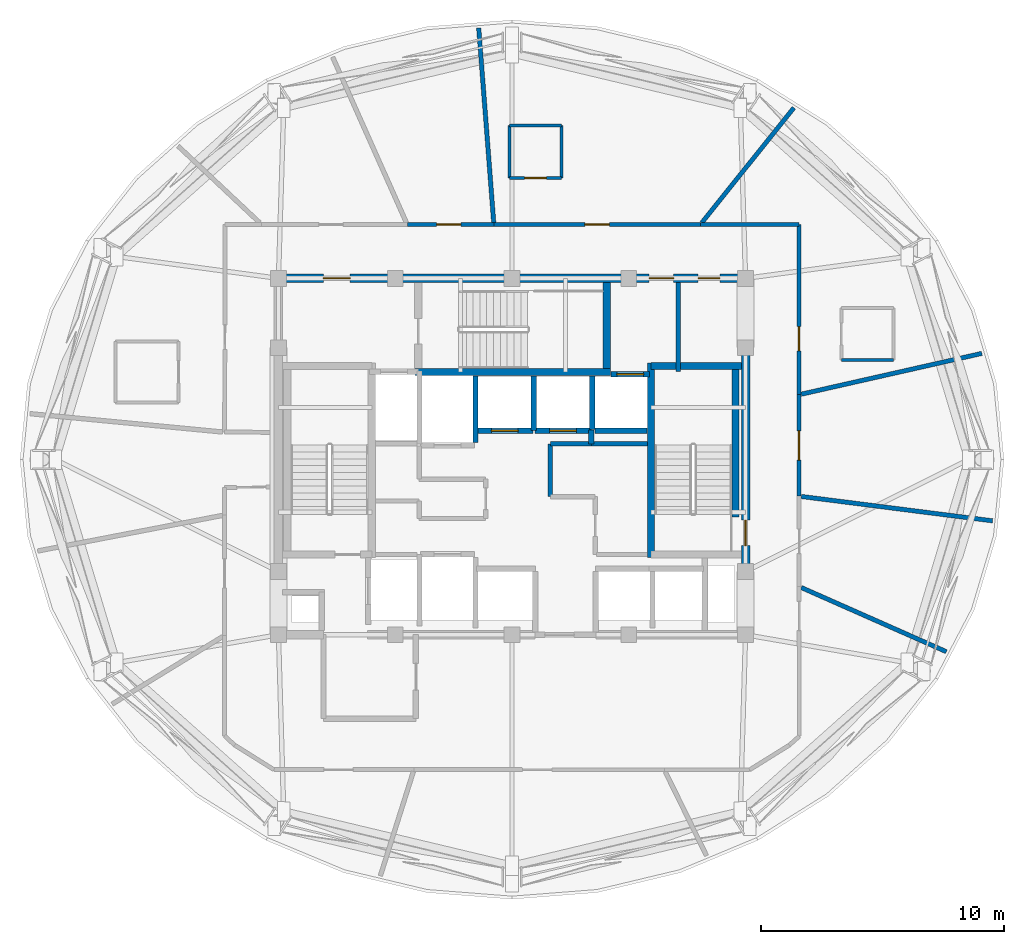
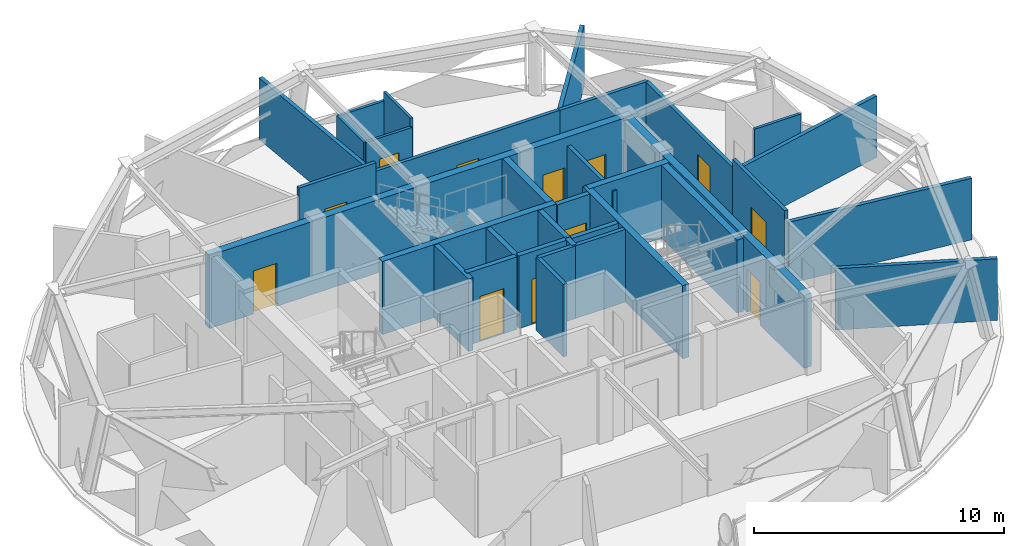
# One storey, part 6 of 11: 34 walls, 12 doors, 12 openings.
"""IFC4 building model written with IfcOpenShell, lengths in metres."""

from ifc_helpers import new_model, si_unit, direction, frame, frame_2d, origin, place, context, subcontext, project, spatial, rectangle, extrude, material, layer, layer_set, type_object, element, fill, save


model = new_model("IFC4")

# Units and contexts
model_context = context("Model", 3, precision=1e-05, world=origin(), true_north=direction((0.0, 1.0)))
body_context = subcontext(model_context, "Body", "Model", "MODEL_VIEW")
ifc_project = project(units=[si_unit("LENGTHUNIT", "METRE"), si_unit("AREAUNIT", "SQUARE_METRE"), si_unit("VOLUMEUNIT", "CUBIC_METRE"), si_unit("PLANEANGLEUNIT", "RADIAN"), si_unit("MASSUNIT", "GRAM", prefix="KILO")], contexts=[model_context])

# Site, building, storey
site_placement = place(None, origin())
site = spatial("IfcSite", under=ifc_project, at=site_placement, CompositionType="ELEMENT")
building_placement = place(site_placement, origin())
building = spatial("IfcBuilding", under=site, at=building_placement, Name="Vantalir Tower", CompositionType="ELEMENT")
storey_placement = place(building_placement, frame((0.0, 0.0, 278.85009765625)))
storey = spatial("IfcBuildingStorey", under=building, at=storey_placement, Name="L70", CompositionType="ELEMENT", Elevation=278.85009765625)

# Wall
ifc_material_1 = material(Name="Moisture-resistant en-suite partition", Category="gypsum")
ifc_layer_1 = layer(ifc_material_1, 0.125)
ifc_layer_set_1 = layer_set([ifc_layer_1], Name="Moisture-resistant en-suite partition")
wall_type_1 = type_object("IfcWallType", Name="WL-BATH-125", PredefinedType="PARTITIONING", material=ifc_layer_set_1)
wall_1_placement = place(storey_placement, frame((45.035888671875, 29.087890625, 0.0), z_axis=(0.0, 0.0, 1.0), x_axis=(1.0, 0.0, 0.0)))
element("IfcWall", 1, at=wall_1_placement, inside=storey, type_object=wall_type_1, Name="L70 En-suite 01 South Wall", PredefinedType="PARTITIONING", context=body_context, shape_type="SweptSolid", body=[
    extrude(rectangle(XDim=2.150146484375, YDim=0.125, at=frame_2d((1.0751953125, 0.0))), origin(), (0.0, 0.0, 1.0), 3.5498046875),
])

# Wall, opening, door
wall_2_placement = place(storey_placement, frame((31.389892578125, 36.574951171875, 0.0), z_axis=(0.0, 0.0, 1.0), x_axis=(1.0, 0.0, 0.0)))
wall_2 = element("IfcWall", 2, at=wall_2_placement, inside=storey, type_object=wall_type_1, Name="L70 En-suite 02 South Wall", PredefinedType="PARTITIONING", context=body_context, shape_type="SweptSolid", body=[
    extrude(rectangle(XDim=2.150146484375, YDim=0.125, at=frame_2d((1.0751953125, 0.0))), origin(), (0.0, 0.0, 1.0), 3.1318359375),
])
opening_1_placement = place(wall_2_placement, frame((0.625, 0.0, 0.0)))
opening_1 = element("IfcOpeningElement", 3, at=opening_1_placement, cuts=wall_2, Name="Opening D-WC", PredefinedType="OPENING", context=body_context, shape_type="SweptSolid", body=[
    extrude(rectangle(XDim=0.89990234375, YDim=2.10009765625, at=frame_2d((0.449951171875, 1.050048828125))), frame((0.0, 0.072509765625, 0.0), z_axis=(0.0, -1.0, 0.0), x_axis=(1.0, 0.0, 0.0)), (0.0, 0.0, 1.0), 0.14501953125),
])
ifc_material_2 = material(Name="Moisture-resistant hardwood door", Category="wood")
door_type_1 = type_object("IfcDoorType", Name="DR-ENSUITE-900", OperationType="NOTDEFINED", PredefinedType="DOOR", material=ifc_material_2)
door_1_placement = place(opening_1_placement, origin())
door_1 = element("IfcDoor", 4, at=door_1_placement, inside=storey, type_object=door_type_1, Name="L70 En-suite 02 Door", OperationType="SINGLE_SWING_LEFT", OverallHeight=2.10009765625, OverallWidth=0.89990234375, PredefinedType="DOOR", context=body_context, shape_type="SweptSolid", body=[
    extrude(rectangle(XDim=0.89990234375, YDim=2.10009765625, at=frame_2d((0.449951171875, 1.050048828125))), frame((0.0, 0.02490234375, 0.0), z_axis=(0.0, -1.0, 0.0), x_axis=(1.0, 0.0, 0.0)), (0.0, 0.0, 1.0), 0.050048828125),
])
fill(opening_1, door_1)

# Walls
for number, where, z_axis, x_axis, name in (
    (5, (31.389892578125, 38.72509765625, 0.0), (0.0, 0.0, 1.0), (1.0, 0.0, 0.0), "L70 En-suite 02 North Wall"),
    (6, (31.389892578125, 36.574951171875, 0.0), (0.0, 0.0, 1.0), (0.0, 1.0, 0.0), "L70 En-suite 02 West Wall"),
):
    element("IfcWall", number, at=place(storey_placement, frame(where, z_axis=z_axis, x_axis=x_axis)), inside=storey, type_object=wall_type_1, Name=name, PredefinedType="PARTITIONING", context=body_context, shape_type="SweptSolid", body=[
        extrude(rectangle(XDim=2.150146484375, YDim=0.125, at=frame_2d((1.0751953125, 0.0))), origin(), (0.0, 0.0, 1.0), 3.1318359375),
    ])
wall_3_placement = place(storey_placement, frame((33.5400390625, 36.574951171875, 0.0), z_axis=(0.0, 0.0, 1.0), x_axis=(0.0, 1.0, 0.0)))
element("IfcWall", 7, at=wall_3_placement, inside=storey, type_object=wall_type_1, Name="L70 En-suite 02 East Wall", PredefinedType="PARTITIONING", context=body_context, shape_type="SweptSolid", body=[
    extrude(rectangle(XDim=2.150146484375, YDim=0.125, at=frame_2d((1.0751953125, 0.0))), origin(), (0.0, 0.0, 1.0), 3.5498046875),
])

# Wall, openings, doors
ifc_material_3 = material(Name="Concrete C50/60", Category="concrete")
ifc_layer_2 = layer(ifc_material_3, 0.35009765625)
ifc_layer_set_2 = layer_set([ifc_layer_2], Name="Concrete C50/60")
wall_type_2 = type_object("IfcWallType", Name="WL-CORE-350", PredefinedType="SHEAR", material=ifc_layer_set_2)
wall_4_placement = place(storey_placement, frame((21.72509765625, 32.449951171875, 0.0), z_axis=(0.0, 0.0, 1.0), x_axis=(1.0, 0.0, 0.0)))
wall_4 = element("IfcWall", 8, at=wall_4_placement, inside=storey, type_object=wall_type_2, Name="L70 Core Shear Wall North", PredefinedType="SHEAR", context=body_context, shape_type="SweptSolid", body=[
    extrude(rectangle(XDim=19.5498046875, YDim=0.35009765625, at=frame_2d((9.77490234375, 0.0))), origin(), (0.0, 0.0, 1.0), 3.56982421875),
])
opening_2_placement = place(wall_4_placement, frame((2.02490234375, 0.0, 0.0)))
opening_2 = element("IfcOpeningElement", 9, at=opening_2_placement, cuts=wall_4, Name="Opening D-FFL", PredefinedType="OPENING", context=body_context, shape_type="SweptSolid", body=[
    extrude(rectangle(XDim=1.10009765625, YDim=2.10009765625, at=frame_2d((0.550048828125, 1.050048828125))), frame((0.0, 0.18505859375, 0.0), z_axis=(0.0, -1.0, 0.0), x_axis=(1.0, 0.0, 0.0)), (0.0, 0.0, 1.0), 0.3701171875),
])
opening_3_placement = place(wall_4_placement, frame((15.4150390625, 0.0, 0.0)))
opening_3 = element("IfcOpeningElement", 10, at=opening_3_placement, cuts=wall_4, Name="Opening D-GUEST", PredefinedType="OPENING", context=body_context, shape_type="SweptSolid", body=[
    extrude(rectangle(XDim=1.0, YDim=2.10009765625, at=frame_2d((0.5, 1.050048828125))), frame((0.0, 0.18505859375, 0.0), z_axis=(0.0, -1.0, 0.0), x_axis=(1.0, 0.0, 0.0)), (0.0, 0.0, 1.0), 0.3701171875),
])
opening_4_placement = place(wall_4_placement, frame((17.425048828125, 0.0, 0.0)))
opening_4 = element("IfcOpeningElement", 11, at=opening_4_placement, cuts=wall_4, Name="Opening D-CR", PredefinedType="OPENING", context=body_context, shape_type="SweptSolid", body=[
    extrude(rectangle(XDim=0.89990234375, YDim=2.10009765625, at=frame_2d((0.449951171875, 1.050048828125))), frame((0.0, 0.18505859375, 0.0), z_axis=(0.0, -1.0, 0.0), x_axis=(1.0, 0.0, 0.0)), (0.0, 0.0, 1.0), 0.3701171875),
])
ifc_material_4 = material(Name="Fire-rated steel core service door", Category="steel")
door_type_2 = type_object("IfcDoorType", Name="DR-CORE-SERV-900", OperationType="NOTDEFINED", PredefinedType="DOOR", material=ifc_material_4)
door_2_placement = place(opening_4_placement, frame((0.89990234375, 0.0, 0.0), z_axis=(0.0, 0.0, 1.0), x_axis=(-1.0, 0.0, 0.0)))
door_2 = element("IfcDoor", 12, at=door_2_placement, inside=storey, type_object=door_type_2, Name="L70 Housekeeping and Linen Room Door", OperationType="SINGLE_SWING_RIGHT", OverallHeight=2.10009765625, OverallWidth=0.89990234375, PredefinedType="DOOR", context=body_context, shape_type="SweptSolid", body=[
    extrude(rectangle(XDim=0.89990234375, YDim=2.10009765625, at=frame_2d((0.449951171875, 1.050048828125))), frame((0.0, 0.02490234375, 0.0), z_axis=(0.0, -1.0, 0.0), x_axis=(1.0, 0.0, 0.0)), (0.0, 0.0, 1.0), 0.050048828125),
])
fill(opening_4, door_2)
ifc_material_5 = material(Name="Fire-rated acoustic steel door", Category="steel")
door_type_3 = type_object("IfcDoorType", Name="DR-FIRE-LOBBY-1100", OperationType="NOTDEFINED", PredefinedType="DOOR", material=ifc_material_5)
door_3_placement = place(opening_2_placement, frame((1.10009765625, 0.0, 0.0), z_axis=(0.0, 0.0, 1.0), x_axis=(-1.0, 0.0, 0.0)))
door_3 = element("IfcDoor", 13, at=door_3_placement, inside=storey, type_object=door_type_3, Name="L70 Firefighting Lobby East Access Door", OperationType="SINGLE_SWING_RIGHT", OverallHeight=2.10009765625, OverallWidth=1.10009765625, PredefinedType="DOOR", context=body_context, shape_type="SweptSolid", body=[
    extrude(rectangle(XDim=1.10009765625, YDim=2.10009765625, at=frame_2d((0.550048828125, 1.050048828125))), frame((0.0, 0.02490234375, 0.0), z_axis=(0.0, -1.0, 0.0), x_axis=(1.0, 0.0, 0.0)), (0.0, 0.0, 1.0), 0.050048828125),
])
fill(opening_2, door_3)
ifc_material_6 = material(Name="Solid-core teak veneer acoustic fire door", Category="wood")
door_type_4 = type_object("IfcDoorType", Name="DR-GUEST-ENTRY-1000", OperationType="NOTDEFINED", PredefinedType="DOOR", material=ifc_material_6)
door_4_placement = place(opening_3_placement, frame((1.0, 0.0, 0.0), z_axis=(0.0, 0.0, 1.0), x_axis=(-1.0, 0.0, 0.0)))
door_4 = element("IfcDoor", 14, at=door_4_placement, inside=storey, type_object=door_type_4, Name="L70 High-Rise Lift Lobby Door", OperationType="SINGLE_SWING_LEFT", OverallHeight=2.10009765625, OverallWidth=1.0, PredefinedType="DOOR", context=body_context, shape_type="SweptSolid", body=[
    extrude(rectangle(XDim=1.0, YDim=2.10009765625, at=frame_2d((0.5, 1.050048828125))), frame((0.0, 0.02490234375, 0.0), z_axis=(0.0, -1.0, 0.0), x_axis=(1.0, 0.0, 0.0)), (0.0, 0.0, 1.0), 0.050048828125),
])
fill(opening_3, door_4)

# Wall, opening, door
wall_5_placement = place(storey_placement, frame((41.10009765625, 17.97509765625, 0.0), z_axis=(0.0, 0.0, 1.0), x_axis=(0.0, 1.0, 0.0)))
wall_5 = element("IfcWall", 15, at=wall_5_placement, inside=storey, type_object=wall_type_2, Name="L70 Core Shear Wall East", PredefinedType="SHEAR", context=body_context, shape_type="SweptSolid", body=[
    extrude(rectangle(XDim=14.2998046875, YDim=0.35009765625, at=frame_2d((7.14990234375, 0.0))), origin(), (0.0, 0.0, 1.0), 3.56982421875),
])
opening_5_placement = place(wall_5_placement, frame((3.485107421875, 0.0, 0.0)))
opening_5 = element("IfcOpeningElement", 16, at=opening_5_placement, cuts=wall_5, Name="Opening D-ST", PredefinedType="OPENING", context=body_context, shape_type="SweptSolid", body=[
    extrude(rectangle(XDim=1.050048828125, YDim=2.10009765625, at=frame_2d((0.52490234375, 1.050048828125))), frame((0.0, 0.18505859375, 0.0), z_axis=(0.0, -1.0, 0.0), x_axis=(1.0, 0.0, 0.0)), (0.0, 0.0, 1.0), 0.3701171875),
])
ifc_material_7 = material(Name="Fire-rated steel door leaf", Category="steel")
door_type_5 = type_object("IfcDoorType", Name="DR-FIRE-STAIR-1050", OperationType="NOTDEFINED", PredefinedType="DOOR", material=ifc_material_7)
door_5_placement = place(opening_5_placement, origin())
door_5 = element("IfcDoor", 17, at=door_5_placement, inside=storey, type_object=door_type_5, Name="L70 Exit Stair ST2 Fire Door", OperationType="SINGLE_SWING_LEFT", OverallHeight=2.10009765625, OverallWidth=1.050048828125, PredefinedType="DOOR", context=body_context, shape_type="SweptSolid", body=[
    extrude(rectangle(XDim=1.050048828125, YDim=2.10009765625, at=frame_2d((0.52490234375, 1.050048828125))), frame((0.0, 0.02490234375, 0.0), z_axis=(0.0, -1.0, 0.0), x_axis=(1.0, 0.0, 0.0)), (0.0, 0.0, 1.0), 0.050048828125),
])
fill(opening_5, door_5)

ifc_material_8 = material(Name="Fire-rated hotel corridor acoustic partition", Category="gypsum")
ifc_layer_3 = layer(ifc_material_8, 0.159912109375)
ifc_layer_set_3 = layer_set([ifc_layer_3], Name="Fire-rated hotel corridor acoustic partition")
wall_type_3 = type_object("IfcWallType", Name="WL-CORR-160", PredefinedType="PARTITIONING", material=ifc_layer_set_3)
wall_6_placement = place(storey_placement, frame((27.195068359375, 34.660888671875, 0.0), z_axis=(0.0, 0.0, 1.0), x_axis=(1.0, 0.0, 0.0)))
wall_6 = element("IfcWall", 18, at=wall_6_placement, inside=storey, type_object=wall_type_3, Name="L70 Corridor Partition 05", PredefinedType="PARTITIONING", context=body_context, shape_type="SweptSolid", body=[
    extrude(rectangle(XDim=3.559814453125, YDim=0.159912109375, at=frame_2d((1.77978515625, 0.0))), origin(), (0.0, 0.0, 1.0), 3.5498046875),
])
opening_6_placement = place(wall_6_placement, frame((1.205078125, 0.0, 0.0)))
opening_6 = element("IfcOpeningElement", 19, at=opening_6_placement, cuts=wall_6, Name="Opening D-GUEST", PredefinedType="OPENING", context=body_context, shape_type="SweptSolid", body=[
    extrude(rectangle(XDim=1.0, YDim=2.10009765625, at=frame_2d((0.5, 1.050048828125))), frame((0.0, 0.08984375, 0.0), z_axis=(0.0, -1.0, 0.0), x_axis=(1.0, 0.0, 0.0)), (0.0, 0.0, 1.0), 0.179931640625),
])
door_6_placement = place(opening_6_placement, origin())
door_6 = element("IfcDoor", 20, at=door_6_placement, inside=storey, type_object=door_type_4, Name="L70 Executive Business Study 03 Door", OperationType="SINGLE_SWING_RIGHT", OverallHeight=2.10009765625, OverallWidth=1.0, PredefinedType="DOOR", context=body_context, shape_type="SweptSolid", body=[
    extrude(rectangle(XDim=1.0, YDim=2.10009765625, at=frame_2d((0.5, 1.050048828125))), frame((0.0, 0.02490234375, 0.0), z_axis=(0.0, -1.0, 0.0), x_axis=(1.0, 0.0, 0.0)), (0.0, 0.0, 1.0), 0.050048828125),
])
fill(opening_6, door_6)

wall_7_placement = place(storey_placement, frame((30.7548828125, 34.660888671875, 0.0), z_axis=(0.0, 0.0, 1.0), x_axis=(1.0, 0.0, 0.0)))
wall_7 = element("IfcWall", 21, at=wall_7_placement, inside=storey, type_object=wall_type_3, Name="L70 Corridor Partition 06", PredefinedType="PARTITIONING", context=body_context, shape_type="SweptSolid", body=[
    extrude(rectangle(XDim=8.486083984375, YDim=0.159912109375, at=frame_2d((4.2431640625, 0.0))), origin(), (0.0, 0.0, 1.0), 3.1318359375),
])
opening_7_placement = place(wall_7_placement, frame((3.742919921875, 0.0, 0.0)))
opening_7 = element("IfcOpeningElement", 22, at=opening_7_placement, cuts=wall_7, Name="Opening D-GUEST", PredefinedType="OPENING", context=body_context, shape_type="SweptSolid", body=[
    extrude(rectangle(XDim=1.0, YDim=2.10009765625, at=frame_2d((0.5, 1.050048828125))), frame((0.0, 0.08984375, 0.0), z_axis=(0.0, -1.0, 0.0), x_axis=(1.0, 0.0, 0.0)), (0.0, 0.0, 1.0), 0.179931640625),
])
door_7_placement = place(opening_7_placement, origin())
door_7 = element("IfcDoor", 23, at=door_7_placement, inside=storey, type_object=door_type_4, Name="L70 Deluxe King Hotel Room 02 Door", OperationType="SINGLE_SWING_LEFT", OverallHeight=2.10009765625, OverallWidth=1.0, PredefinedType="DOOR", context=body_context, shape_type="SweptSolid", body=[
    extrude(rectangle(XDim=1.0, YDim=2.10009765625, at=frame_2d((0.5, 1.050048828125))), frame((0.0, 0.02490234375, 0.0), z_axis=(0.0, -1.0, 0.0), x_axis=(1.0, 0.0, 0.0)), (0.0, 0.0, 1.0), 0.050048828125),
])
fill(opening_7, door_7)

# Wall
wall_8_placement = place(storey_placement, frame((39.240966796875, 34.660888671875, 0.0), z_axis=(0.0, 0.0, 1.0), x_axis=(0.999999970972, -0.000240949333, 0.0)))
element("IfcWall", 24, at=wall_8_placement, inside=storey, type_object=wall_type_3, Name="L70 Corridor Partition 07", PredefinedType="PARTITIONING", context=body_context, shape_type="SweptSolid", body=[
    extrude(rectangle(XDim=4.052978515625, YDim=0.159912109375, at=frame_2d((2.0263671875, 0.0))), origin(), (0.0, 0.0, 1.0), 3.1318359375),
])

# Wall, opening, door
wall_9_placement = place(storey_placement, frame((43.2939453125, 34.659912109375, 0.0), z_axis=(0.0, 0.0, 1.0), x_axis=(0.000733163229, -0.999999731236, 0.0)))
wall_9 = element("IfcWall", 25, at=wall_9_placement, inside=storey, type_object=wall_type_3, Name="L70 Corridor Partition 08", PredefinedType="PARTITIONING", context=body_context, shape_type="SweptSolid", body=[
    extrude(rectangle(XDim=6.992919921875, YDim=0.159912109375, at=frame_2d((3.49658203125, 0.0))), origin(), (0.0, 0.0, 1.0), 3.1318359375),
])
opening_8_placement = place(wall_9_placement, frame((4.19091796875, 0.0, 0.0)))
opening_8 = element("IfcOpeningElement", 26, at=opening_8_placement, cuts=wall_9, Name="Opening D-GUEST", PredefinedType="OPENING", context=body_context, shape_type="SweptSolid", body=[
    extrude(rectangle(XDim=1.0, YDim=2.10009765625, at=frame_2d((0.5, 1.050048828125))), frame((0.0, 0.08984375, 0.0), z_axis=(0.0, -1.0, 0.0), x_axis=(1.0, 0.0, 0.0)), (0.0, 0.0, 1.0), 0.179931640625),
])
door_8_placement = place(opening_8_placement, origin())
door_8 = element("IfcDoor", 27, at=door_8_placement, inside=storey, type_object=door_type_4, Name="L70 Twin Queen Hotel Room 01 Door", OperationType="SINGLE_SWING_RIGHT", OverallHeight=2.10009765625, OverallWidth=1.0, PredefinedType="DOOR", context=body_context, shape_type="SweptSolid", body=[
    extrude(rectangle(XDim=1.0, YDim=2.10009765625, at=frame_2d((0.5, 1.050048828125))), frame((0.0, 0.02490234375, 0.0), z_axis=(0.0, -1.0, 0.0), x_axis=(1.0, 0.0, 0.0)), (0.0, 0.0, 1.0), 0.050048828125),
])
fill(opening_8, door_8)

wall_10_placement = place(storey_placement, frame((43.299072265625, 27.6669921875, 0.0), z_axis=(0.0, 0.0, 1.0), x_axis=(0.00070241144, -0.999999753309, 0.0)))
wall_10 = element("IfcWall", 28, at=wall_10_placement, inside=storey, type_object=wall_type_3, Name="L70 Corridor Partition 09", PredefinedType="PARTITIONING", context=body_context, shape_type="SweptSolid", body=[
    extrude(rectangle(XDim=4.1708984375, YDim=0.159912109375, at=frame_2d((2.08544921875, 0.0))), origin(), (0.0, 0.0, 1.0), 3.5498046875),
])
opening_9_placement = place(wall_10_placement, frame((1.486083984375, 0.0, 0.0)))
opening_9 = element("IfcOpeningElement", 29, at=opening_9_placement, cuts=wall_10, Name="Opening D-STE", PredefinedType="OPENING", context=body_context, shape_type="SweptSolid", body=[
    extrude(rectangle(XDim=1.199951171875, YDim=2.10009765625, at=frame_2d((0.60009765625, 1.050048828125))), frame((0.0, 0.08984375, 0.0), z_axis=(0.0, -1.0, 0.0), x_axis=(1.0, 0.0, 0.0)), (0.0, 0.0, 1.0), 0.179931640625),
])
ifc_material_9 = material(Name="Solid-core teak veneer suite entrance door", Category="wood")
door_type_6 = type_object("IfcDoorType", Name="DR-SUITE-ENTRY-1200", OperationType="NOTDEFINED", PredefinedType="DOOR", material=ifc_material_9)
door_9_placement = place(opening_9_placement, origin())
door_9 = element("IfcDoor", 30, at=door_9_placement, inside=storey, type_object=door_type_6, Name="L70 Club Reading Lounge 12 Door", OperationType="SINGLE_SWING_LEFT", OverallHeight=2.10009765625, OverallWidth=1.199951171875, PredefinedType="DOOR", context=body_context, shape_type="SweptSolid", body=[
    extrude(rectangle(XDim=1.199951171875, YDim=2.10009765625, at=frame_2d((0.60009765625, 1.050048828125))), frame((0.0, 0.02490234375, 0.0), z_axis=(0.0, -1.0, 0.0), x_axis=(1.0, 0.0, 0.0)), (0.0, 0.0, 1.0), 0.050048828125),
])
fill(opening_9, door_9)

# Walls
ifc_material_10 = material(Name="Concrete blockwork with fireboard lining", Category="masonry")
ifc_layer_4 = layer(ifc_material_10, 0.219970703125)
ifc_layer_set_4 = layer_set([ifc_layer_4], Name="Concrete blockwork with fireboard lining")
wall_type_4 = type_object("IfcWallType", Name="WL-FFL-220", PredefinedType="PARTITIONING", material=ifc_layer_set_4)
wall_11_placement = place(storey_placement, frame((30.0, 25.7099609375, 0.0), z_axis=(0.0, 0.0, 1.0), x_axis=(0.0, 1.0, 0.0)))
element("IfcWall", 31, at=wall_11_placement, inside=storey, type_object=wall_type_4, Name="L70 Service Lift SV2 East Shaft Wall", PredefinedType="PARTITIONING", context=body_context, shape_type="SweptSolid", body=[
    extrude(rectangle(XDim=2.72998046875, YDim=0.219970703125, at=frame_2d((1.364990234375, 0.0))), origin(), (0.0, 0.0, 1.0), 3.544921875),
])
wall_12_placement = place(storey_placement, frame((32.39990234375, 26.199951171875, 0.0), z_axis=(0.0, 0.0, 1.0), x_axis=(0.0, 1.0, 0.0)))
element("IfcWall", 32, at=wall_12_placement, inside=storey, type_object=wall_type_4, Name="L70 High-Rise Lift PL-H1/H2 Shaft Divider", PredefinedType="PARTITIONING", context=body_context, shape_type="SweptSolid", body=[
    extrude(rectangle(XDim=2.239990234375, YDim=0.219970703125, at=frame_2d((1.1201171875, 0.0))), origin(), (0.0, 0.0, 1.0), 3.544921875),
])
wall_13_placement = place(storey_placement, frame((34.800048828125, 26.22998046875, 0.0), z_axis=(0.0, 0.0, 1.0), x_axis=(0.0, 1.0, 0.0)))
element("IfcWall", 33, at=wall_13_placement, inside=storey, type_object=wall_type_4, Name="L70 High-Rise Lift PL-H2/H3 Shaft Divider", PredefinedType="PARTITIONING", context=body_context, shape_type="SweptSolid", body=[
    extrude(rectangle(XDim=2.2099609375, YDim=0.219970703125, at=frame_2d((1.10498046875, 0.0))), origin(), (0.0, 0.0, 1.0), 3.544921875),
])
wall_14_placement = place(storey_placement, frame((34.909912109375, 26.18994140625, 0.0), z_axis=(0.0, 0.0, 1.0), x_axis=(1.0, 0.0, 0.0)))
element("IfcWall", 34, at=wall_14_placement, inside=storey, type_object=wall_type_4, Name="L70 High-Rise Lift PL-H3 Rear Shaft Wall", PredefinedType="PARTITIONING", context=body_context, shape_type="SweptSolid", body=[
    extrude(rectangle(XDim=2.14013671875, YDim=0.219970703125, at=frame_2d((1.070068359375, 0.0))), origin(), (0.0, 0.0, 1.0), 3.544921875),
])

# Wall, opening, door
wall_15_placement = place(storey_placement, frame((30.0400390625, 26.18994140625, 0.0), z_axis=(0.0, 0.0, 1.0), x_axis=(1.0, 0.0, 0.0)))
wall_15 = element("IfcWall", 35, at=wall_15_placement, inside=storey, type_object=wall_type_4, Name="L70 Lift PL-H1 Shaft Front Wall", PredefinedType="PARTITIONING", context=body_context, shape_type="SweptSolid", body=[
    extrude(rectangle(XDim=2.320068359375, YDim=0.219970703125, at=frame_2d((1.16015625, 0.0))), origin(), (0.0, 0.0, 1.0), 3.5498046875),
])
opening_10_placement = place(wall_15_placement, frame((0.610107421875, 0.0, 0.0)))
opening_10 = element("IfcOpeningElement", 36, at=opening_10_placement, cuts=wall_15, Name="Opening LD-PL-H1", PredefinedType="OPENING", context=body_context, shape_type="SweptSolid", body=[
    extrude(rectangle(XDim=1.10009765625, YDim=2.199951171875, at=frame_2d((0.550048828125, 1.10009765625))), frame((0.0, 0.119873046875, 0.0), z_axis=(0.0, -1.0, 0.0), x_axis=(1.0, 0.0, 0.0)), (0.0, 0.0, 1.0), 0.239990234375),
])
ifc_material_11 = material(Name="Brushed stainless-steel sliding lift landing door", Category="steel")
door_type_7 = type_object("IfcDoorType", Name="DR-LIFT-LANDING-1100", OperationType="DOUBLE_DOOR_SLIDING", PredefinedType="DOOR", material=ifc_material_11)
door_10_placement = place(opening_10_placement, frame((1.10009765625, 0.0, 0.0), z_axis=(0.0, 0.0, 1.0), x_axis=(-1.0, 0.0, 0.0)))
door_10 = element("IfcDoor", 37, at=door_10_placement, inside=storey, type_object=door_type_7, Name="L70 Lift Landing Door PL-H1", OperationType="DOUBLE_DOOR_SLIDING", OverallHeight=2.199951171875, OverallWidth=1.10009765625, PredefinedType="DOOR", context=body_context, shape_type="SweptSolid", body=[
    extrude(rectangle(XDim=1.10009765625, YDim=2.199951171875, at=frame_2d((0.550048828125, 1.10009765625))), frame((0.0, 0.02490234375, 0.0), z_axis=(0.0, -1.0, 0.0), x_axis=(1.0, 0.0, 0.0)), (0.0, 0.0, 1.0), 0.050048828125),
])
fill(opening_10, door_10)

wall_16_placement = place(storey_placement, frame((32.43994140625, 26.18994140625, 0.0), z_axis=(0.0, 0.0, 1.0), x_axis=(1.0, 0.0, 0.0)))
wall_16 = element("IfcWall", 38, at=wall_16_placement, inside=storey, type_object=wall_type_4, Name="L70 Lift PL-H2 Shaft Front Wall", PredefinedType="PARTITIONING", context=body_context, shape_type="SweptSolid", body=[
    extrude(rectangle(XDim=2.320068359375, YDim=0.219970703125, at=frame_2d((1.16015625, 0.0))), origin(), (0.0, 0.0, 1.0), 3.5498046875),
])
opening_11_placement = place(wall_16_placement, frame((0.610107421875, 0.0, 0.0)))
opening_11 = element("IfcOpeningElement", 39, at=opening_11_placement, cuts=wall_16, Name="Opening LD-PL-H2", PredefinedType="OPENING", context=body_context, shape_type="SweptSolid", body=[
    extrude(rectangle(XDim=1.10009765625, YDim=2.199951171875, at=frame_2d((0.550048828125, 1.10009765625))), frame((0.0, 0.119873046875, 0.0), z_axis=(0.0, -1.0, 0.0), x_axis=(1.0, 0.0, 0.0)), (0.0, 0.0, 1.0), 0.239990234375),
])
door_11_placement = place(opening_11_placement, frame((1.10009765625, 0.0, 0.0), z_axis=(0.0, 0.0, 1.0), x_axis=(-1.0, 0.0, 0.0)))
door_11 = element("IfcDoor", 40, at=door_11_placement, inside=storey, type_object=door_type_7, Name="L70 Lift Landing Door PL-H2", OperationType="DOUBLE_DOOR_SLIDING", OverallHeight=2.199951171875, OverallWidth=1.10009765625, PredefinedType="DOOR", context=body_context, shape_type="SweptSolid", body=[
    extrude(rectangle(XDim=1.10009765625, YDim=2.199951171875, at=frame_2d((0.550048828125, 1.10009765625))), frame((0.0, 0.02490234375, 0.0), z_axis=(0.0, -1.0, 0.0), x_axis=(1.0, 0.0, 0.0)), (0.0, 0.0, 1.0), 0.050048828125),
])
fill(opening_11, door_11)

wall_17_placement = place(storey_placement, frame((35.56005859375, 28.510009765625, 0.0), z_axis=(0.0, 0.0, 1.0), x_axis=(1.0, 0.0, 0.0)))
wall_17 = element("IfcWall", 41, at=wall_17_placement, inside=storey, type_object=wall_type_4, Name="L70 Lift PL-H3 Shaft Front Wall", PredefinedType="PARTITIONING", context=body_context, shape_type="SweptSolid", body=[
    extrude(rectangle(XDim=1.599853515625, YDim=0.219970703125, at=frame_2d((0.7998046875, 0.0))), origin(), (0.0, 0.0, 1.0), 3.5498046875),
])
opening_12_placement = place(wall_17_placement, frame((0.25, 0.0, 0.0)))
opening_12 = element("IfcOpeningElement", 42, at=opening_12_placement, cuts=wall_17, Name="Opening LD-PL-H3", PredefinedType="OPENING", context=body_context, shape_type="SweptSolid", body=[
    extrude(rectangle(XDim=1.10009765625, YDim=2.199951171875, at=frame_2d((0.550048828125, 1.10009765625))), frame((0.0, 0.119873046875, 0.0), z_axis=(0.0, -1.0, 0.0), x_axis=(1.0, 0.0, 0.0)), (0.0, 0.0, 1.0), 0.239990234375),
])
door_12_placement = place(opening_12_placement, origin())
door_12 = element("IfcDoor", 43, at=door_12_placement, inside=storey, type_object=door_type_7, Name="L70 Lift Landing Door PL-H3", OperationType="DOUBLE_DOOR_SLIDING", OverallHeight=2.199951171875, OverallWidth=1.10009765625, PredefinedType="DOOR", context=body_context, shape_type="SweptSolid", body=[
    extrude(rectangle(XDim=1.10009765625, YDim=2.199951171875, at=frame_2d((0.550048828125, 1.10009765625))), frame((0.0, 0.02490234375, 0.0), z_axis=(0.0, -1.0, 0.0), x_axis=(1.0, 0.0, 0.0)), (0.0, 0.0, 1.0), 0.050048828125),
])
fill(opening_12, door_12)

# Walls
wall_18_placement = place(storey_placement, frame((34.760009765625, 25.64990234375, 0.0), z_axis=(0.0, 0.0, 1.0), x_axis=(0.0, 1.0, 0.0)))
element("IfcWall", 44, at=wall_18_placement, inside=storey, type_object=wall_type_4, Name="L70 High-Rise Shaft Shoulder Wall", PredefinedType="PARTITIONING", context=body_context, shape_type="SweptSolid", body=[
    extrude(rectangle(XDim=0.570068359375, YDim=0.219970703125, at=frame_2d((0.28515625, 0.0))), origin(), (0.0, 0.0, 1.0), 3.5498046875),
])
ifc_material_12 = material(Name="Twin-stud acoustic fire-rated gypsum partition", Category="gypsum")
ifc_layer_5 = layer(ifc_material_12, 0.179931640625)
ifc_layer_set_5 = layer_set([ifc_layer_5], Name="Twin-stud acoustic fire-rated gypsum partition")
wall_type_5 = type_object("IfcWallType", Name="WL-GUEST-180", PredefinedType="PARTITIONING", material=ifc_layer_set_5)
wall_19_placement = place(storey_placement, frame((34.719970703125, 25.64990234375, 0.0), z_axis=(0.0, 0.0, 1.0), x_axis=(1.0, 0.0, 0.0)))
element("IfcWall", 45, at=wall_19_placement, inside=storey, type_object=wall_type_5, Name="L70 Freed East Core North Wall", PredefinedType="PARTITIONING", context=body_context, shape_type="SweptSolid", body=[
    extrude(rectangle(XDim=2.340087890625, YDim=0.179931640625, at=frame_2d((1.169921875, 0.0))), origin(), (0.0, 0.0, 1.0), 3.5498046875),
])
wall_20_placement = place(storey_placement, frame((33.080078125, 25.64990234375, 0.0), z_axis=(0.0, 0.0, 1.0), x_axis=(1.0, 0.0, 0.0)))
element("IfcWall", 46, at=wall_20_placement, inside=storey, type_object=wall_type_5, Name="L70 East Core Alcove North Wall", PredefinedType="PARTITIONING", context=body_context, shape_type="SweptSolid", body=[
    extrude(rectangle(XDim=1.679931640625, YDim=0.179931640625, at=frame_2d((0.83984375, 0.0))), origin(), (0.0, 0.0, 1.0), 3.5498046875),
])
wall_21_placement = place(storey_placement, frame((33.080078125, 23.47998046875, 0.0), z_axis=(0.0, 0.0, 1.0), x_axis=(0.0, 1.0, 0.0)))
element("IfcWall", 47, at=wall_21_placement, inside=storey, type_object=wall_type_5, Name="L70 East Core Alcove West Wall", PredefinedType="PARTITIONING", context=body_context, shape_type="SweptSolid", body=[
    extrude(rectangle(XDim=2.169921875, YDim=0.179931640625, at=frame_2d((1.0849609375, 0.0))), origin(), (0.0, 0.0, 1.0), 3.5498046875),
])
wall_22_placement = place(storey_placement, frame((38.340087890625, 28.6201171875, 0.0), z_axis=(0.0, 0.0, 1.0), x_axis=(0.0, 1.0, 0.0)))
element("IfcWall", 48, at=wall_22_placement, inside=storey, type_object=wall_type_5, Name="L70 High-Rise Lift Lobby East Wall", PredefinedType="PARTITIONING", context=body_context, shape_type="SweptSolid", body=[
    extrude(rectangle(XDim=3.65478515625, YDim=0.179931640625, at=frame_2d((1.827392578125, 0.0))), origin(), (0.0, 0.0, 1.0), 3.1318359375),
])
wall_23_placement = place(storey_placement, frame((43.389892578125, 27.68798828125, 0.0), z_axis=(0.0, 0.0, 1.0), x_axis=(0.975402755126, 0.220430182356, 0.0)))
element("IfcWall", 49, at=wall_23_placement, inside=storey, type_object=wall_type_5, Name="L70 Radial Suite Partition 01", PredefinedType="PARTITIONING", context=body_context, shape_type="SweptSolid", body=[
    extrude(rectangle(XDim=7.6123046875, YDim=0.179931640625, at=frame_2d((3.80615234375, 0.0))), origin(), (0.0, 0.0, 1.0), 3.0029296875),
])
wall_24_placement = place(storey_placement, frame((39.303955078125, 34.739990234375, 0.0), z_axis=(0.0, 0.0, 1.0), x_axis=(0.625339403946, 0.78035288804, 0.0)))
element("IfcWall", 50, at=wall_24_placement, inside=storey, type_object=wall_type_5, Name="L70 Radial Suite Partition 02", PredefinedType="PARTITIONING", context=body_context, shape_type="SweptSolid", body=[
    extrude(rectangle(XDim=6.051025390625, YDim=0.179931640625, at=frame_2d((3.025390625, 0.0))), origin(), (0.0, 0.0, 1.0), 3.0029296875),
])
wall_25_placement = place(storey_placement, frame((30.7490234375, 34.739990234375, 0.0), z_axis=(0.0, 0.0, 1.0), x_axis=(-0.076898952471, 0.997038891473, 0.0)))
element("IfcWall", 51, at=wall_25_placement, inside=storey, type_object=wall_type_5, Name="L70 Radial Suite Partition 03", PredefinedType="PARTITIONING", context=body_context, shape_type="SweptSolid", body=[
    extrude(rectangle(XDim=8.022705078125, YDim=0.179931640625, at=frame_2d((4.01123046875, 0.0))), origin(), (0.0, 0.0, 1.0), 3.0029296875),
])
wall_26_placement = place(storey_placement, frame((43.389892578125, 19.741943359375, 0.0), z_axis=(0.0, 0.0, 1.0), x_axis=(0.914530811629, -0.404516247612, 0.0)))
element("IfcWall", 52, at=wall_26_placement, inside=storey, type_object=wall_type_5, Name="L70 Radial Suite Partition 11", PredefinedType="PARTITIONING", context=body_context, shape_type="SweptSolid", body=[
    extrude(rectangle(XDim=6.523681640625, YDim=0.179931640625, at=frame_2d((3.26171875, 0.0))), origin(), (0.0, 0.0, 1.0), 3.0029296875),
])
wall_27_placement = place(storey_placement, frame((43.389892578125, 23.485107421875, 0.0), z_axis=(0.0, 0.0, 1.0), x_axis=(0.991975030928, -0.126433927468, 0.0)))
element("IfcWall", 53, at=wall_27_placement, inside=storey, type_object=wall_type_5, Name="L70 Radial Suite Partition 12", PredefinedType="PARTITIONING", context=body_context, shape_type="SweptSolid", body=[
    extrude(rectangle(XDim=7.9267578125, YDim=0.179931640625, at=frame_2d((3.96337890625, 0.0))), origin(), (0.0, 0.0, 1.0), 3.0029296875),
])
ifc_layer_6 = layer(ifc_material_3, 0.300048828125)
ifc_layer_set_6 = layer_set([ifc_layer_6], Name="Concrete C50/60")
wall_type_6 = type_object("IfcWallType", Name="WL-STAIR-300", PredefinedType="SHEAR", material=ifc_layer_set_6)
wall_28_placement = place(storey_placement, frame((37.2099609375, 28.85009765625, 0.0), z_axis=(0.0, 0.0, 1.0), x_axis=(1.0, 0.0, 0.0)))
element("IfcWall", 54, at=wall_28_placement, inside=storey, type_object=wall_type_6, Name="L70 Stair ST2 North Wall", PredefinedType="SHEAR", context=body_context, shape_type="SweptSolid", body=[
    extrude(rectangle(XDim=3.715087890625, YDim=0.300048828125, at=frame_2d((1.857421875, 0.0))), origin(), (0.0, 0.0, 1.0), 3.56982421875),
])
wall_29_placement = place(storey_placement, frame((37.2099609375, 20.97998046875, 0.0), z_axis=(0.0, 0.0, 1.0), x_axis=(0.0, 1.0, 0.0)))
element("IfcWall", 55, at=wall_29_placement, inside=storey, type_object=wall_type_6, Name="L70 Stair ST2 West Wall", PredefinedType="SHEAR", context=body_context, shape_type="SweptSolid", body=[
    extrude(rectangle(XDim=7.989990234375, YDim=0.300048828125, at=frame_2d((3.9951171875, 0.0))), origin(), (0.0, 0.0, 1.0), 3.56982421875),
])
wall_30_placement = place(storey_placement, frame((40.68994140625, 22.64990234375, 0.0), z_axis=(0.0, 0.0, 1.0), x_axis=(0.0, 1.0, 0.0)))
element("IfcWall", 56, at=wall_30_placement, inside=storey, type_object=wall_type_6, Name="L70 Stair ST2 East Liner Wall", PredefinedType="SHEAR", context=body_context, shape_type="SweptSolid", body=[
    extrude(rectangle(XDim=6.2001953125, YDim=0.300048828125, at=frame_2d((3.10009765625, 0.0))), origin(), (0.0, 0.0, 1.0), 3.56982421875),
])
wall_31_placement = place(storey_placement, frame((27.510009765625, 28.60009765625, 0.0), z_axis=(0.0, 0.0, 1.0), x_axis=(1.0, 0.0, 0.0)))
element("IfcWall", 57, at=wall_31_placement, inside=storey, type_object=wall_type_6, Name="L70 Stair ST3 South Wall", PredefinedType="SHEAR", context=body_context, shape_type="SweptSolid", body=[
    extrude(rectangle(XDim=8.030029296875, YDim=0.300048828125, at=frame_2d((4.01513671875, 0.0))), origin(), (0.0, 0.0, 1.0), 3.56982421875),
])
wall_32_placement = place(storey_placement, frame((35.39990234375, 28.75, 0.0), z_axis=(0.0, 0.0, 1.0), x_axis=(0.0, 1.0, 0.0)))
element("IfcWall", 58, at=wall_32_placement, inside=storey, type_object=wall_type_6, Name="L70 Stair ST3 East Wall", PredefinedType="SHEAR", context=body_context, shape_type="SweptSolid", body=[
    extrude(rectangle(XDim=3.52490234375, YDim=0.300048828125, at=frame_2d((1.762451171875, 0.0))), origin(), (0.0, 0.0, 1.0), 3.56982421875),
])

save(model, "model.ifc")
